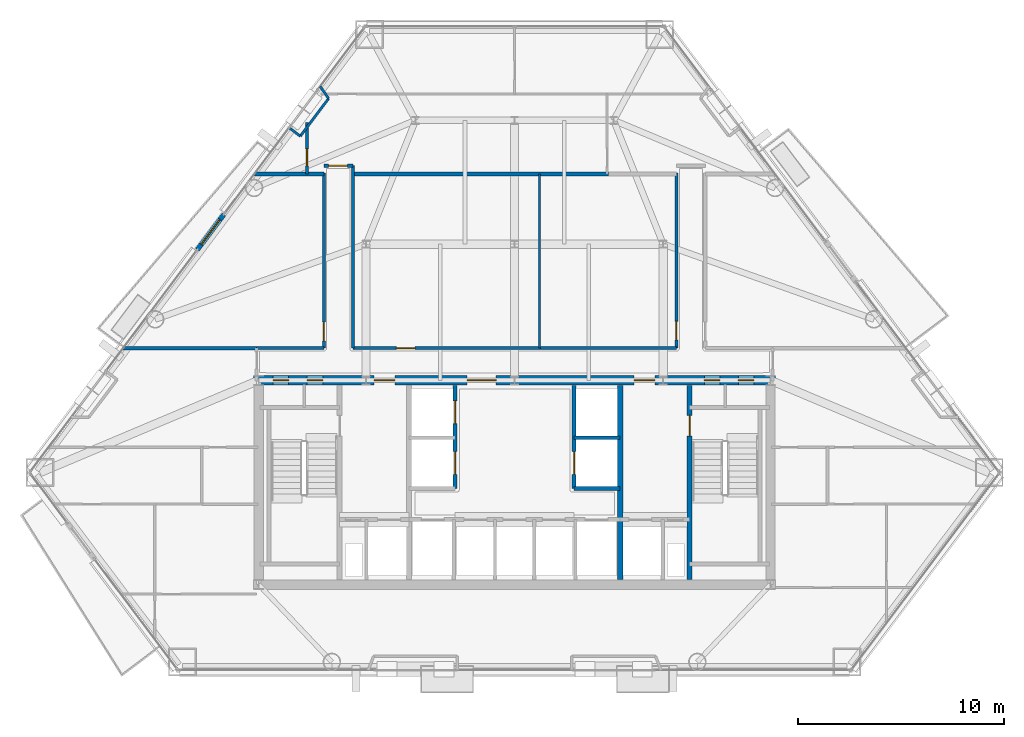
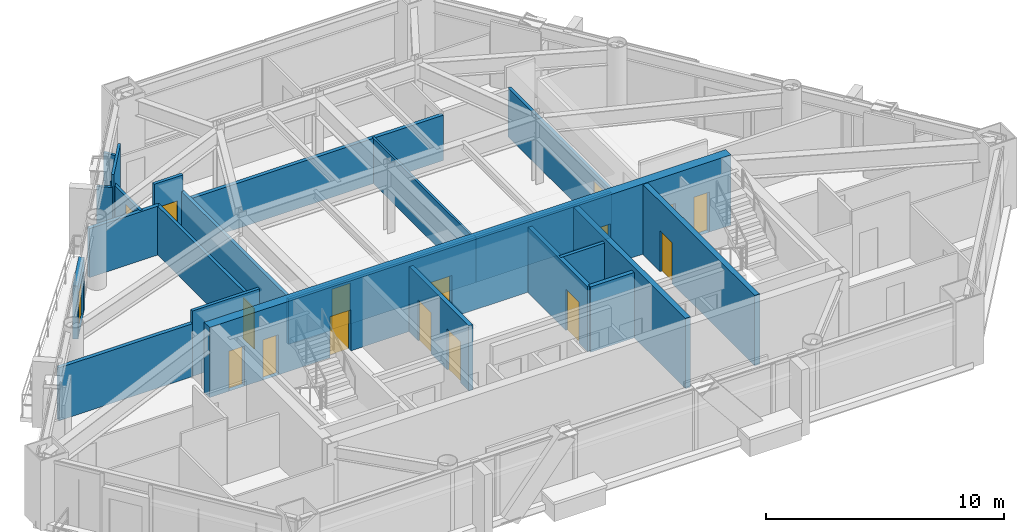
# One storey, part 7 of 11: 23 walls, 17 doors, 17 openings.
"""IFC4 building model written with IfcOpenShell, lengths in metres."""

from ifc_helpers import new_model, si_unit, direction, frame, frame_2d, origin, place, context, subcontext, project, spatial, rectangle, extrude, material, layer, layer_set, type_object, element, fill, save


model = new_model("IFC4")

# Units and contexts
model_context = context("Model", 3, precision=1e-05, world=origin(), true_north=direction((0.0, 1.0)))
body_context = subcontext(model_context, "Body", "Model", "MODEL_VIEW")
ifc_project = project(units=[si_unit("LENGTHUNIT", "METRE"), si_unit("AREAUNIT", "SQUARE_METRE"), si_unit("VOLUMEUNIT", "CUBIC_METRE"), si_unit("PLANEANGLEUNIT", "RADIAN"), si_unit("MASSUNIT", "GRAM", prefix="KILO")], contexts=[model_context])

# Site, building, storey
site_placement = place(None, origin())
site = spatial("IfcSite", under=ifc_project, at=site_placement, CompositionType="ELEMENT")
building_placement = place(site_placement, origin())
building = spatial("IfcBuilding", under=site, at=building_placement, Name="Talgorran Terracotta Tower", CompositionType="ELEMENT")
storey_placement = place(building_placement, frame((0.0, 0.0, 68.39990234375)))
storey = spatial("IfcBuildingStorey", under=building, at=storey_placement, Name="L17", CompositionType="ELEMENT", Elevation=68.39990234375)

# Wall, opening, door
ifc_material_1 = material(Name="Concrete C40/50", Category="concrete")
ifc_layer_1 = layer(ifc_material_1, 0.239990234375, Name="WT_BALCONY_SPAND")
ifc_layer_set_1 = layer_set([ifc_layer_1], Name="Concrete C40/50")
wall_type_1 = type_object("IfcWallType", Name="WT_BALCONY_SPAND", PredefinedType="STANDARD", material=ifc_layer_set_1)
wall_1_placement = place(storey_placement, frame((-14.088134765625, 3.843505859375, -0.014892578125), z_axis=(0.0, 0.0, 1.0), x_axis=(-0.601240548581, -0.799068083921, 0.0)))
wall_1 = element("IfcWall", 1, at=wall_1_placement, inside=storey, type_object=wall_type_1, Name="WL-L17-BALP-BAL-NW", PredefinedType="STANDARD", context=body_context, shape_type="SweptSolid", body=[
    extrude(rectangle(XDim=2.139892578125, YDim=0.239990234375, at=frame_2d((1.06982421875, 0.0))), origin(), (0.0, 0.0, 1.0), 2.728271484375),
])
opening_1_placement = place(wall_1_placement, frame((0.320068359375, 0.0, 0.014892578125)))
opening_1 = element("IfcOpeningElement", 2, at=opening_1_placement, cuts=wall_1, Name="Opening D-BAL-L17-2", PredefinedType="OPENING", context=body_context, shape_type="SweptSolid", body=[
    extrude(rectangle(XDim=1.506, YDim=2.203951171875, at=frame_2d((0.75, 1.10205078125))), frame((0.0, 0.1298828125, 0.0), z_axis=(0.0, -1.0, 0.0), x_axis=(1.0, 0.0, 0.0)), (0.0, 0.0, 1.0), 0.260009765625),
])
ifc_material_2 = material(Name="Thermally Broken Aluminium", Category="aluminium")
door_type_1 = type_object("IfcDoorType", Name="DT_BALC_1500", OperationType="SLIDING_TO_RIGHT", PredefinedType="DOOR", material=ifc_material_2)
door_1_placement = place(opening_1_placement, origin())
door_1 = element("IfcDoor", 3, at=door_1_placement, inside=storey, type_object=door_type_1, Name="DR-L17-BAL-BAL-NW", OperationType="SLIDING_TO_RIGHT", OverallHeight=2.199951171875, OverallWidth=1.5, PredefinedType="DOOR", context=body_context, shape_type="SweptSolid", body=[
    extrude(rectangle(XDim=1.5, YDim=2.199951171875, at=frame_2d((0.75, 1.10009765625))), frame((0.0, 0.02490234375, 0.0), z_axis=(0.0, -1.0, 0.0), x_axis=(1.0, 0.0, 0.0)), (0.0, 0.0, 1.0), 0.050048828125),
])
fill(opening_1, door_1)

# Wall, openings, doors
ifc_material_3 = material(Name="Concrete C50/60", Category="concrete")
ifc_layer_2 = layer(ifc_material_3, 0.199951171875, Name="WT_CORE_200")
ifc_layer_set_2 = layer_set([ifc_layer_2], Name="Concrete C50/60")
wall_type_2 = type_object("IfcWallType", Name="WT_CORE_200", PredefinedType="SOLIDWALL", material=ifc_layer_set_2)
wall_2_placement = place(storey_placement, frame((-2.8798828125, -9.449951171875, 0.0), z_axis=(0.0, 0.0, 1.0), x_axis=(0.0, 1.0, 0.0)))
wall_2 = element("IfcWall", 4, at=wall_2_placement, inside=storey, type_object=wall_type_2, Name="WL-L17-CW-V-W3", PredefinedType="SOLIDWALL", context=body_context, shape_type="SweptSolid", body=[
    extrude(rectangle(XDim=5.0, YDim=0.199951171875, at=frame_2d((2.5, 0.0))), origin(), (0.0, 0.0, 1.0), 3.35009765625),
])
opening_2_placement = place(wall_2_placement, frame((0.699951171875, 0.0, 0.0)))
opening_2 = element("IfcOpeningElement", 5, at=opening_2_placement, cuts=wall_2, Name="Opening LD-PLL1", PredefinedType="OPENING", context=body_context, shape_type="SweptSolid", body=[
    extrude(rectangle(XDim=1.10609765625, YDim=2.10409765625, at=frame_2d((0.550048828125, 1.052001953125))), frame((0.0, 0.10986328125, 0.0), z_axis=(0.0, -1.0, 0.0), x_axis=(1.0, 0.0, 0.0)), (0.0, 0.0, 1.0), 0.219970703125),
])
opening_3_placement = place(wall_2_placement, frame((3.14990234375, 0.0, 0.0)))
opening_3 = element("IfcOpeningElement", 6, at=opening_3_placement, cuts=wall_2, Name="Opening LD-PLL2", PredefinedType="OPENING", context=body_context, shape_type="SweptSolid", body=[
    extrude(rectangle(XDim=1.10609765625, YDim=2.10409765625, at=frame_2d((0.550048828125, 1.052001953125))), frame((0.0, 0.10986328125, 0.0), z_axis=(0.0, -1.0, 0.0), x_axis=(1.0, 0.0, 0.0)), (0.0, 0.0, 1.0), 0.219970703125),
])
ifc_material_4 = material(Name="Brushed Stainless Steel Grade 304", Category="steel")
door_type_2 = type_object("IfcDoorType", Name="DT_LIFT_LD1100", OperationType="DOUBLE_DOOR_SLIDING", PredefinedType="DOOR", material=ifc_material_4)
door_2_placement = place(opening_2_placement, origin())
door_2 = element("IfcDoor", 7, at=door_2_placement, inside=storey, type_object=door_type_2, Name="L17 Lift Landing Door LD-PLL1", OperationType="DOUBLE_DOOR_SLIDING", OverallHeight=2.10009765625, OverallWidth=1.10009765625, PredefinedType="DOOR", context=body_context, shape_type="SweptSolid", body=[
    extrude(rectangle(XDim=1.10009765625, YDim=2.10009765625, at=frame_2d((0.550048828125, 1.050048828125))), frame((0.0, 0.02490234375, 0.0), z_axis=(0.0, -1.0, 0.0), x_axis=(1.0, 0.0, 0.0)), (0.0, 0.0, 1.0), 0.050048828125),
])
fill(opening_2, door_2)
door_3_placement = place(opening_3_placement, origin())
door_3 = element("IfcDoor", 8, at=door_3_placement, inside=storey, type_object=door_type_2, Name="L17 Lift Landing Door LD-PLL2", OperationType="DOUBLE_DOOR_SLIDING", OverallHeight=2.10009765625, OverallWidth=1.10009765625, PredefinedType="DOOR", context=body_context, shape_type="SweptSolid", body=[
    extrude(rectangle(XDim=1.10009765625, YDim=2.10009765625, at=frame_2d((0.550048828125, 1.050048828125))), frame((0.0, 0.02490234375, 0.0), z_axis=(0.0, -1.0, 0.0), x_axis=(1.0, 0.0, 0.0)), (0.0, 0.0, 1.0), 0.050048828125),
])
fill(opening_3, door_3)

# Wall, opening, door
wall_3_placement = place(storey_placement, frame((2.8798828125, -9.449951171875, 0.0), z_axis=(0.0, 0.0, 1.0), x_axis=(0.0, 1.0, 0.0)))
wall_3 = element("IfcWall", 9, at=wall_3_placement, inside=storey, type_object=wall_type_2, Name="WL-L17-CW-V-E3", PredefinedType="SOLIDWALL", context=body_context, shape_type="SweptSolid", body=[
    extrude(rectangle(XDim=5.0, YDim=0.199951171875, at=frame_2d((2.5, 0.0))), origin(), (0.0, 0.0, 1.0), 3.35009765625),
])
opening_4_placement = place(wall_3_placement, frame((0.699951171875, 0.0, 0.0)))
opening_4 = element("IfcOpeningElement", 10, at=opening_4_placement, cuts=wall_3, Name="Opening LD-PLM1", PredefinedType="OPENING", context=body_context, shape_type="SweptSolid", body=[
    extrude(rectangle(XDim=1.10609765625, YDim=2.10409765625, at=frame_2d((0.550048828125, 1.052001953125))), frame((0.0, 0.10986328125, 0.0), z_axis=(0.0, -1.0, 0.0), x_axis=(1.0, 0.0, 0.0)), (0.0, 0.0, 1.0), 0.219970703125),
])
door_4_placement = place(opening_4_placement, origin())
door_4 = element("IfcDoor", 11, at=door_4_placement, inside=storey, type_object=door_type_2, Name="L17 Lift Landing Door LD-PLM1", OperationType="DOUBLE_DOOR_SLIDING", OverallHeight=2.10009765625, OverallWidth=1.10009765625, PredefinedType="DOOR", context=body_context, shape_type="SweptSolid", body=[
    extrude(rectangle(XDim=1.10009765625, YDim=2.10009765625, at=frame_2d((0.550048828125, 1.050048828125))), frame((0.0, 0.02490234375, 0.0), z_axis=(0.0, -1.0, 0.0), x_axis=(1.0, 0.0, 0.0)), (0.0, 0.0, 1.0), 0.050048828125),
])
fill(opening_4, door_4)

# Wall
wall_4_placement = place(storey_placement, frame((2.8798828125, -9.449951171875, 0.0), z_axis=(0.0, 0.0, 1.0), x_axis=(1.0, 0.0, 0.0)))
element("IfcWall", 12, at=wall_4_placement, inside=storey, type_object=wall_type_2, Name="WL-L17-CW-H-E4", PredefinedType="SOLIDWALL", context=body_context, shape_type="SweptSolid", body=[
    extrude(rectangle(XDim=2.240234375, YDim=0.199951171875, at=frame_2d((1.1201171875, 0.0))), origin(), (0.0, 0.0, 1.0), 3.35009765625),
])

# Wall, opening, door
ifc_layer_3 = layer(ifc_material_3, 0.25, Name="WT_CORE_250")
ifc_layer_set_3 = layer_set([ifc_layer_3], Name="Concrete C50/60")
wall_type_3 = type_object("IfcWallType", Name="WT_CORE_250", PredefinedType="SHEAR", material=ifc_layer_set_3)
wall_5_placement = place(storey_placement, frame((8.47998046875, -13.85009765625, 0.0), z_axis=(0.0, 0.0, 1.0), x_axis=(0.0, 1.0, 0.0)))
wall_5 = element("IfcWall", 13, at=wall_5_placement, inside=storey, type_object=wall_type_3, Name="WL-L17-CW-V-E1", PredefinedType="SHEAR", context=body_context, shape_type="SweptSolid", body=[
    extrude(rectangle(XDim=9.400146484375, YDim=0.25, at=frame_2d((4.7001953125, 0.0))), origin(), (0.0, 0.0, 1.0), 3.60009765625),
])
opening_5_placement = place(wall_5_placement, frame((6.949951171875, 0.0, 0.0)))
opening_5 = element("IfcOpeningElement", 14, at=opening_5_placement, cuts=wall_5, Name="Opening DR-ST02", PredefinedType="OPENING", context=body_context, shape_type="SweptSolid", body=[
    extrude(rectangle(XDim=1.006, YDim=2.10409765625, at=frame_2d((0.5, 1.052001953125))), frame((0.0, 0.135009765625, 0.0), z_axis=(0.0, -1.0, 0.0), x_axis=(1.0, 0.0, 0.0)), (0.0, 0.0, 1.0), 0.27001953125),
])
ifc_material_5 = material(Name="Fire-Rated Pressed Steel", Category="steel")
door_type_3 = type_object("IfcDoorType", Name="DT_FIRE_1000", OperationType="NOTDEFINED", PredefinedType="DOOR", material=ifc_material_5)
door_5_placement = place(opening_5_placement, origin())
door_5 = element("IfcDoor", 15, at=door_5_placement, inside=storey, type_object=door_type_3, Name="DR-ST02", OperationType="SINGLE_SWING_RIGHT", OverallHeight=2.10009765625, OverallWidth=1.0, PredefinedType="DOOR", context=body_context, shape_type="SweptSolid", body=[
    extrude(rectangle(XDim=1.0, YDim=2.10009765625, at=frame_2d((0.5, 1.050048828125))), frame((0.0, 0.02490234375, 0.0), z_axis=(0.0, -1.0, 0.0), x_axis=(1.0, 0.0, 0.0)), (0.0, 0.0, 1.0), 0.050048828125),
])
fill(opening_5, door_5)

# Wall
wall_6_placement = place(storey_placement, frame((5.1201171875, -13.85009765625, 0.0), z_axis=(0.0, 0.0, 1.0), x_axis=(0.0, 1.0, 0.0)))
element("IfcWall", 16, at=wall_6_placement, inside=storey, type_object=wall_type_3, Name="WL-L17-CW-V-E2", PredefinedType="SHEAR", context=body_context, shape_type="SweptSolid", body=[
    extrude(rectangle(XDim=9.400146484375, YDim=0.25, at=frame_2d((4.7001953125, 0.0))), origin(), (0.0, 0.0, 1.0), 3.60009765625),
])

# Wall, openings, doors
ifc_material_6 = material(Name="Concrete C65/80", Category="concrete")
ifc_layer_4 = layer(ifc_material_6, 0.449951171875, Name="WT_CORE_EXT")
ifc_layer_set_4 = layer_set([ifc_layer_4], Name="Concrete C65/80")
wall_type_4 = type_object("IfcWallType", Name="WT_CORE_EXT", PredefinedType="SHEAR", material=ifc_layer_set_4)
wall_7_placement = place(storey_placement, frame((-12.64990234375, -4.199951171875, 0.0), z_axis=(0.0, 0.0, 1.0), x_axis=(1.0, 0.0, 0.0)))
wall_7 = element("IfcWall", 17, at=wall_7_placement, inside=storey, type_object=wall_type_4, Name="WL-L17-CW-OUT-N", PredefinedType="SHEAR", context=body_context, shape_type="SweptSolid", body=[
    extrude(rectangle(XDim=25.2998046875, YDim=0.449951171875, at=frame_2d((12.64990234375, 0.0))), origin(), (0.0, 0.0, 1.0), 3.60009765625),
])
opening_6_placement = place(wall_7_placement, frame((0.949951171875, 0.0, 0.0)))
opening_6 = element("IfcOpeningElement", 18, at=opening_6_placement, cuts=wall_7, Name="Opening DR-CSN1", PredefinedType="OPENING", context=body_context, shape_type="SweptSolid", body=[
    extrude(rectangle(XDim=0.756, YDim=2.054048828125, at=frame_2d((0.375, 1.027099609375))), frame((0.0, 0.23486328125, 0.0), z_axis=(0.0, -1.0, 0.0), x_axis=(1.0, 0.0, 0.0)), (0.0, 0.0, 1.0), 0.469970703125),
])
opening_7_placement = place(wall_7_placement, frame((2.60009765625, 0.0, 0.0)))
opening_7 = element("IfcOpeningElement", 19, at=opening_7_placement, cuts=wall_7, Name="Opening DR-CSN2", PredefinedType="OPENING", context=body_context, shape_type="SweptSolid", body=[
    extrude(rectangle(XDim=0.756, YDim=2.054048828125, at=frame_2d((0.375, 1.027099609375))), frame((0.0, 0.23486328125, 0.0), z_axis=(0.0, -1.0, 0.0), x_axis=(1.0, 0.0, 0.0)), (0.0, 0.0, 1.0), 0.469970703125),
])
opening_8_placement = place(wall_7_placement, frame((21.85009765625, 0.0, 0.0)))
opening_8 = element("IfcOpeningElement", 20, at=opening_8_placement, cuts=wall_7, Name="Opening DR-CSN3", PredefinedType="OPENING", context=body_context, shape_type="SweptSolid", body=[
    extrude(rectangle(XDim=0.756, YDim=2.054048828125, at=frame_2d((0.375, 1.027099609375))), frame((0.0, 0.23486328125, 0.0), z_axis=(0.0, -1.0, 0.0), x_axis=(1.0, 0.0, 0.0)), (0.0, 0.0, 1.0), 0.469970703125),
])
opening_9_placement = place(wall_7_placement, frame((23.5, 0.0, 0.0)))
opening_9 = element("IfcOpeningElement", 21, at=opening_9_placement, cuts=wall_7, Name="Opening DR-CSN4", PredefinedType="OPENING", context=body_context, shape_type="SweptSolid", body=[
    extrude(rectangle(XDim=0.756, YDim=2.054048828125, at=frame_2d((0.375, 1.027099609375))), frame((0.0, 0.23486328125, 0.0), z_axis=(0.0, -1.0, 0.0), x_axis=(1.0, 0.0, 0.0)), (0.0, 0.0, 1.0), 0.469970703125),
])
opening_10_placement = place(wall_7_placement, frame((5.85009765625, 0.0, 0.0)))
opening_10 = element("IfcOpeningElement", 22, at=opening_10_placement, cuts=wall_7, Name="Opening DR-FFLW-N", PredefinedType="OPENING", context=body_context, shape_type="SweptSolid", body=[
    extrude(rectangle(XDim=1.006, YDim=2.10409765625, at=frame_2d((0.5, 1.052001953125))), frame((0.0, 0.23486328125, 0.0), z_axis=(0.0, -1.0, 0.0), x_axis=(1.0, 0.0, 0.0)), (0.0, 0.0, 1.0), 0.469970703125),
])
opening_11_placement = place(wall_7_placement, frame((10.35009765625, 0.0, 0.0)))
opening_11 = element("IfcOpeningElement", 23, at=opening_11_placement, cuts=wall_7, Name="Opening DR-PLL-N", PredefinedType="OPENING", context=body_context, shape_type="SweptSolid", body=[
    extrude(rectangle(XDim=1.40590234375, YDim=2.15390234375, at=frame_2d((0.699951171875, 1.076904296875))), frame((0.0, 0.23486328125, 0.0), z_axis=(0.0, -1.0, 0.0), x_axis=(1.0, 0.0, 0.0)), (0.0, 0.0, 1.0), 0.469970703125),
])
opening_12_placement = place(wall_7_placement, frame((18.449951171875, 0.0, 0.0)))
opening_12 = element("IfcOpeningElement", 24, at=opening_12_placement, cuts=wall_7, Name="Opening DR-FFLE-N", PredefinedType="OPENING", context=body_context, shape_type="SweptSolid", body=[
    extrude(rectangle(XDim=1.006, YDim=2.10409765625, at=frame_2d((0.5, 1.052001953125))), frame((0.0, 0.23486328125, 0.0), z_axis=(0.0, -1.0, 0.0), x_axis=(1.0, 0.0, 0.0)), (0.0, 0.0, 1.0), 0.469970703125),
])
ifc_material_7 = material(Name="Acoustic Glazed Timber", Category="wood")
door_type_4 = type_object("IfcDoorType", Name="DT_DOUBLE_1400", OperationType="DOUBLE_DOOR_SINGLE_SWING", PredefinedType="DOOR", material=ifc_material_7)
door_6_placement = place(opening_11_placement, origin())
door_6 = element("IfcDoor", 25, at=door_6_placement, inside=storey, type_object=door_type_4, Name="DR-PLL-N", OperationType="DOUBLE_DOOR_SINGLE_SWING", OverallHeight=2.14990234375, OverallWidth=1.39990234375, PredefinedType="DOOR", context=body_context, shape_type="SweptSolid", body=[
    extrude(rectangle(XDim=1.39990234375, YDim=2.14990234375, at=frame_2d((0.699951171875, 1.074951171875))), frame((0.0, 0.02490234375, 0.0), z_axis=(0.0, -1.0, 0.0), x_axis=(1.0, 0.0, 0.0)), (0.0, 0.0, 1.0), 0.050048828125),
])
fill(opening_11, door_6)
door_7_placement = place(opening_10_placement, origin())
door_7 = element("IfcDoor", 26, at=door_7_placement, inside=storey, type_object=door_type_3, Name="DR-FFLW-N", OperationType="SINGLE_SWING_LEFT", OverallHeight=2.10009765625, OverallWidth=1.0, PredefinedType="DOOR", context=body_context, shape_type="SweptSolid", body=[
    extrude(rectangle(XDim=1.0, YDim=2.10009765625, at=frame_2d((0.5, 1.050048828125))), frame((0.0, 0.02490234375, 0.0), z_axis=(0.0, -1.0, 0.0), x_axis=(1.0, 0.0, 0.0)), (0.0, 0.0, 1.0), 0.050048828125),
])
fill(opening_10, door_7)
door_8_placement = place(opening_12_placement, origin())
door_8 = element("IfcDoor", 27, at=door_8_placement, inside=storey, type_object=door_type_3, Name="DR-FFLE-N", OperationType="SINGLE_SWING_RIGHT", OverallHeight=2.10009765625, OverallWidth=1.0, PredefinedType="DOOR", context=body_context, shape_type="SweptSolid", body=[
    extrude(rectangle(XDim=1.0, YDim=2.10009765625, at=frame_2d((0.5, 1.050048828125))), frame((0.0, 0.02490234375, 0.0), z_axis=(0.0, -1.0, 0.0), x_axis=(1.0, 0.0, 0.0)), (0.0, 0.0, 1.0), 0.050048828125),
])
fill(opening_12, door_8)
door_type_5 = type_object("IfcDoorType", Name="DT_RISER_750", OperationType="NOTDEFINED", PredefinedType="DOOR", material=ifc_material_5)
door_9_placement = place(opening_6_placement, origin())
door_9 = element("IfcDoor", 28, at=door_9_placement, inside=storey, type_object=door_type_5, Name="DR-CSN1", OperationType="SINGLE_SWING_LEFT", OverallHeight=2.050048828125, OverallWidth=0.75, PredefinedType="DOOR", context=body_context, shape_type="SweptSolid", body=[
    extrude(rectangle(XDim=0.75, YDim=2.050048828125, at=frame_2d((0.375, 1.02490234375))), frame((0.0, 0.02490234375, 0.0), z_axis=(0.0, -1.0, 0.0), x_axis=(1.0, 0.0, 0.0)), (0.0, 0.0, 1.0), 0.050048828125),
])
fill(opening_6, door_9)
door_10_placement = place(opening_7_placement, origin())
door_10 = element("IfcDoor", 29, at=door_10_placement, inside=storey, type_object=door_type_5, Name="DR-CSN2", OperationType="SINGLE_SWING_RIGHT", OverallHeight=2.050048828125, OverallWidth=0.75, PredefinedType="DOOR", context=body_context, shape_type="SweptSolid", body=[
    extrude(rectangle(XDim=0.75, YDim=2.050048828125, at=frame_2d((0.375, 1.02490234375))), frame((0.0, 0.02490234375, 0.0), z_axis=(0.0, -1.0, 0.0), x_axis=(1.0, 0.0, 0.0)), (0.0, 0.0, 1.0), 0.050048828125),
])
fill(opening_7, door_10)
door_11_placement = place(opening_8_placement, origin())
door_11 = element("IfcDoor", 30, at=door_11_placement, inside=storey, type_object=door_type_5, Name="DR-CSN3", OperationType="SINGLE_SWING_LEFT", OverallHeight=2.050048828125, OverallWidth=0.75, PredefinedType="DOOR", context=body_context, shape_type="SweptSolid", body=[
    extrude(rectangle(XDim=0.75, YDim=2.050048828125, at=frame_2d((0.375, 1.02490234375))), frame((0.0, 0.02490234375, 0.0), z_axis=(0.0, -1.0, 0.0), x_axis=(1.0, 0.0, 0.0)), (0.0, 0.0, 1.0), 0.050048828125),
])
fill(opening_8, door_11)
door_12_placement = place(opening_9_placement, origin())
door_12 = element("IfcDoor", 31, at=door_12_placement, inside=storey, type_object=door_type_5, Name="DR-CSN4", OperationType="SINGLE_SWING_RIGHT", OverallHeight=2.050048828125, OverallWidth=0.75, PredefinedType="DOOR", context=body_context, shape_type="SweptSolid", body=[
    extrude(rectangle(XDim=0.75, YDim=2.050048828125, at=frame_2d((0.375, 1.02490234375))), frame((0.0, 0.02490234375, 0.0), z_axis=(0.0, -1.0, 0.0), x_axis=(1.0, 0.0, 0.0)), (0.0, 0.0, 1.0), 0.050048828125),
])
fill(opening_9, door_12)

# Wall, opening, door
ifc_material_8 = material(Name="Fire-Rated Steel Stud Plasterboard", Category="steel")
ifc_layer_5 = layer(ifc_material_8, 0.14990234375, Name="WT_FIRE_150")
ifc_layer_set_5 = layer_set([ifc_layer_5], Name="Fire-Rated Steel Stud Plasterboard")
wall_type_5 = type_object("IfcWallType", Name="WT_FIRE_150", PredefinedType="PARTITIONING", material=ifc_layer_set_5)
wall_8_placement = place(storey_placement, frame((-7.840087890625, -2.639892578125, 0.0), z_axis=(0.0, 0.0, 1.0), x_axis=(1.0, 0.0, 0.0)))
wall_8 = element("IfcWall", 32, at=wall_8_placement, inside=storey, type_object=wall_type_5, Name="WL-L17-W-L17-R06", PredefinedType="PARTITIONING", context=body_context, shape_type="SweptSolid", body=[
    extrude(rectangle(XDim=9.10009765625, YDim=0.14990234375, at=frame_2d((4.550048828125, 0.0))), origin(), (0.0, 0.0, 1.0), 2.3251953125),
])
opening_13_placement = place(wall_8_placement, frame((2.110107421875, 0.0, 0.0)))
opening_13 = element("IfcOpeningElement", 33, at=opening_13_placement, cuts=wall_8, Name="Opening DR-L17-R13", PredefinedType="OPENING", context=body_context, shape_type="SweptSolid", body=[
    extrude(rectangle(XDim=0.90590234375, YDim=2.10409765625, at=frame_2d((0.449951171875, 1.052001953125))), frame((0.0, 0.0849609375, 0.0), z_axis=(0.0, -1.0, 0.0), x_axis=(1.0, 0.0, 0.0)), (0.0, 0.0, 1.0), 0.169921875),
])
ifc_material_9 = material(Name="Fire-Rated Timber Core", Category="wood")
door_type_6 = type_object("IfcDoorType", Name="DT_FIRE_900", OperationType="NOTDEFINED", PredefinedType="DOOR", material=ifc_material_9)
door_13_placement = place(opening_13_placement, origin())
door_13 = element("IfcDoor", 34, at=door_13_placement, inside=storey, type_object=door_type_6, Name="DR-L17-R13", OperationType="SINGLE_SWING_LEFT", OverallHeight=2.10009765625, OverallWidth=0.89990234375, PredefinedType="DOOR", context=body_context, shape_type="SweptSolid", body=[
    extrude(rectangle(XDim=0.89990234375, YDim=2.10009765625, at=frame_2d((0.449951171875, 1.050048828125))), frame((0.0, 0.02490234375, 0.0), z_axis=(0.0, -1.0, 0.0), x_axis=(1.0, 0.0, 0.0)), (0.0, 0.0, 1.0), 0.050048828125),
])
fill(opening_13, door_13)

wall_9_placement = place(storey_placement, frame((-9.239990234375, -2.639892578125, 0.0), z_axis=(0.0, 0.0, 1.0), x_axis=(0.0, 1.0, 0.0)))
wall_9 = element("IfcWall", 35, at=wall_9_placement, inside=storey, type_object=wall_type_5, Name="WL-L17-W-L17-R04", PredefinedType="PARTITIONING", context=body_context, shape_type="SweptSolid", body=[
    extrude(rectangle(XDim=8.5, YDim=0.14990234375, at=frame_2d((4.25, 0.0))), origin(), (0.0, 0.0, 1.0), 2.509033203125),
])
opening_14_placement = place(wall_9_placement, frame((0.360107421875, 0.0, 0.0)))
opening_14 = element("IfcOpeningElement", 36, at=opening_14_placement, cuts=wall_9, Name="Opening DR-L17-R12", PredefinedType="OPENING", context=body_context, shape_type="SweptSolid", body=[
    extrude(rectangle(XDim=0.90590234375, YDim=2.10409765625, at=frame_2d((0.449951171875, 1.052001953125))), frame((0.0, 0.0849609375, 0.0), z_axis=(0.0, -1.0, 0.0), x_axis=(1.0, 0.0, 0.0)), (0.0, 0.0, 1.0), 0.169921875),
])
door_14_placement = place(opening_14_placement, origin())
door_14 = element("IfcDoor", 37, at=door_14_placement, inside=storey, type_object=door_type_6, Name="DR-L17-R12", OperationType="SINGLE_SWING_RIGHT", OverallHeight=2.10009765625, OverallWidth=0.89990234375, PredefinedType="DOOR", context=body_context, shape_type="SweptSolid", body=[
    extrude(rectangle(XDim=0.89990234375, YDim=2.10009765625, at=frame_2d((0.449951171875, 1.050048828125))), frame((0.0, 0.02490234375, 0.0), z_axis=(0.0, -1.0, 0.0), x_axis=(1.0, 0.0, 0.0)), (0.0, 0.0, 1.0), 0.050048828125),
])
fill(opening_14, door_14)

# Wall
wall_10_placement = place(storey_placement, frame((-7.840087890625, -2.639892578125, 0.0), z_axis=(0.0, 0.0, 1.0), x_axis=(0.0, 1.0, 0.0)))
element("IfcWall", 38, at=wall_10_placement, inside=storey, type_object=wall_type_5, Name="WL-L17-W-L17-R05", PredefinedType="PARTITIONING", context=body_context, shape_type="SweptSolid", body=[
    extrude(rectangle(XDim=8.83984375, YDim=0.14990234375, at=frame_2d((4.419921875, 0.0))), origin(), (0.0, 0.0, 1.0), 2.509033203125),
])

# Wall, opening, door
wall_11_placement = place(storey_placement, frame((7.840087890625, -2.639892578125, 0.0), z_axis=(0.0, 0.0, 1.0), x_axis=(0.0, 1.0, 0.0)))
wall_11 = element("IfcWall", 39, at=wall_11_placement, inside=storey, type_object=wall_type_5, Name="WL-L17-W-L17-R08", PredefinedType="PARTITIONING", context=body_context, shape_type="SweptSolid", body=[
    extrude(rectangle(XDim=8.5, YDim=0.14990234375, at=frame_2d((4.25, 0.0))), origin(), (0.0, 0.0, 1.0), 2.509033203125),
])
opening_15_placement = place(wall_11_placement, frame((0.39990234375, 0.0, 0.0)))
opening_15 = element("IfcOpeningElement", 40, at=opening_15_placement, cuts=wall_11, Name="Opening DR-L17-R14", PredefinedType="OPENING", context=body_context, shape_type="SweptSolid", body=[
    extrude(rectangle(XDim=0.90590234375, YDim=2.10409765625, at=frame_2d((0.449951171875, 1.052001953125))), frame((0.0, 0.0849609375, 0.0), z_axis=(0.0, -1.0, 0.0), x_axis=(1.0, 0.0, 0.0)), (0.0, 0.0, 1.0), 0.169921875),
])
door_15_placement = place(opening_15_placement, origin())
door_15 = element("IfcDoor", 41, at=door_15_placement, inside=storey, type_object=door_type_6, Name="DR-L17-R14", OperationType="SINGLE_SWING_RIGHT", OverallHeight=2.10009765625, OverallWidth=0.89990234375, PredefinedType="DOOR", context=body_context, shape_type="SweptSolid", body=[
    extrude(rectangle(XDim=0.89990234375, YDim=2.10009765625, at=frame_2d((0.449951171875, 1.050048828125))), frame((0.0, 0.02490234375, 0.0), z_axis=(0.0, -1.0, 0.0), x_axis=(1.0, 0.0, 0.0)), (0.0, 0.0, 1.0), 0.050048828125),
])
fill(opening_15, door_15)

# Walls
wall_12_placement = place(storey_placement, frame((1.261962890625, -2.639892578125, 0.0), z_axis=(0.0, 0.0, 1.0), x_axis=(1.0, 0.0, 0.0)))
element("IfcWall", 42, at=wall_12_placement, inside=storey, type_object=wall_type_5, Name="WL-L17-W-L17-R07", PredefinedType="PARTITIONING", context=body_context, shape_type="SweptSolid", body=[
    extrude(rectangle(XDim=6.578125, YDim=0.14990234375, at=frame_2d((3.2890625, 0.0))), origin(), (0.0, 0.0, 1.0), 2.3251953125),
])
wall_13_placement = place(storey_placement, frame((-12.5, -2.639892578125, 0.0), z_axis=(0.0, 0.0, 1.0), x_axis=(1.0, 0.0, 0.0)))
element("IfcWall", 43, at=wall_13_placement, inside=storey, type_object=wall_type_5, Name="WL-L17-W-L17-R03", PredefinedType="PARTITIONING", context=body_context, shape_type="SweptSolid", body=[
    extrude(rectangle(XDim=3.260009765625, YDim=0.14990234375, at=frame_2d((1.6298828125, 0.0))), origin(), (0.0, 0.0, 1.0), 3.35009765625),
])

# Wall, opening, door
wall_14_placement = place(storey_placement, frame((-9.239990234375, 6.199951171875, 0.0), z_axis=(0.0, 0.0, 1.0), x_axis=(1.0, 0.0, 0.0)))
wall_14 = element("IfcWall", 44, at=wall_14_placement, inside=storey, type_object=wall_type_5, Name="WL-L17-W-L17-R12", PredefinedType="PARTITIONING", context=body_context, shape_type="SweptSolid", body=[
    extrude(rectangle(XDim=1.39990234375, YDim=0.14990234375, at=frame_2d((0.699951171875, 0.0))), origin(), (0.0, 0.0, 1.0), 3.35009765625),
])
opening_16_placement = place(wall_14_placement, frame((0.2314453125, 0.0, 0.0)))
opening_16 = element("IfcOpeningElement", 45, at=opening_16_placement, cuts=wall_14, Name="Opening DR-L17-R17", PredefinedType="OPENING", context=body_context, shape_type="SweptSolid", body=[
    extrude(rectangle(XDim=0.90590234375, YDim=2.10409765625, at=frame_2d((0.449951171875, 1.052001953125))), frame((0.0, 0.0849609375, 0.0), z_axis=(0.0, -1.0, 0.0), x_axis=(1.0, 0.0, 0.0)), (0.0, 0.0, 1.0), 0.169921875),
])
door_16_placement = place(opening_16_placement, origin())
door_16 = element("IfcDoor", 46, at=door_16_placement, inside=storey, type_object=door_type_6, Name="DR-L17-R17", OperationType="SINGLE_SWING_LEFT", OverallHeight=2.10009765625, OverallWidth=0.89990234375, PredefinedType="DOOR", context=body_context, shape_type="SweptSolid", body=[
    extrude(rectangle(XDim=0.89990234375, YDim=2.10009765625, at=frame_2d((0.449951171875, 1.050048828125))), frame((0.0, 0.02490234375, 0.0), z_axis=(0.0, -1.0, 0.0), x_axis=(1.0, 0.0, 0.0)), (0.0, 0.0, 1.0), 0.050048828125),
])
fill(opening_16, door_16)

# Walls
ifc_material_10 = material(Name="Acoustic Stud and Plasterboard")
ifc_layer_6 = layer(ifc_material_10, 0.179931640625, Name="WT_PARTY_200")
ifc_layer_set_6 = layer_set([ifc_layer_6], Name="Acoustic Stud and Plasterboard")
wall_type_6 = type_object("IfcWallType", Name="WT_PARTY_200", PredefinedType="PARTITIONING", material=ifc_layer_set_6)
wall_15_placement = place(storey_placement, frame((-7.840087890625, 5.800048828125, 0.0), z_axis=(0.0, 0.0, 1.0), x_axis=(1.0, 0.0, 0.0)))
element("IfcWall", 47, at=wall_15_placement, inside=storey, type_object=wall_type_6, Name="WL-L17-W-L17-R39", PredefinedType="PARTITIONING", context=body_context, shape_type="SweptSolid", body=[
    extrude(rectangle(XDim=12.380126953125, YDim=0.179931640625, at=frame_2d((6.18994140625, 0.0))), origin(), (0.0, 0.0, 1.0), 2.3251953125),
])
wall_16_placement = place(storey_placement, frame((-18.966552734375, -2.639892578125, 0.0), z_axis=(0.0, 0.0, 1.0), x_axis=(1.0, 0.0, 0.0)))
element("IfcWall", 48, at=wall_16_placement, inside=storey, type_object=wall_type_6, Name="WL-L17-W-L17-R19", PredefinedType="PARTITIONING", context=body_context, shape_type="SweptSolid", body=[
    extrude(rectangle(XDim=6.466552734375, YDim=0.179931640625, at=frame_2d((3.2333984375, 0.0))), origin(), (0.0, 0.0, 1.0), 2.71337890625),
])
wall_17_placement = place(storey_placement, frame((-12.6162109375, 5.800048828125, 0.0), z_axis=(0.0, 0.0, 1.0), x_axis=(1.0, 0.0, 0.0)))
element("IfcWall", 49, at=wall_17_placement, inside=storey, type_object=wall_type_6, Name="WL-L17-W-L17-R36", PredefinedType="PARTITIONING", context=body_context, shape_type="SweptSolid", body=[
    extrude(rectangle(XDim=3.376220703125, YDim=0.179931640625, at=frame_2d((1.68798828125, 0.0))), origin(), (0.0, 0.0, 1.0), 2.509033203125),
])
ifc_material_11 = material(Name="Lightweight Steel Stud Partition", Category="steel")
ifc_layer_7 = layer(ifc_material_11, 0.10498046875, Name="WT_PART_110")
ifc_layer_set_7 = layer_set([ifc_layer_7], Name="Lightweight Steel Stud Partition")
wall_type_7 = type_object("IfcWallType", Name="WT_PART_110", PredefinedType="PARTITIONING", material=ifc_layer_set_7)
wall_18_placement = place(storey_placement, frame((1.199951171875, -2.639892578125, 0.0), z_axis=(0.0, 0.0, 1.0), x_axis=(0.0, 1.0, 0.0)))
element("IfcWall", 50, at=wall_18_placement, inside=storey, type_object=wall_type_7, Name="WL-L17-W-L17-R38", PredefinedType="PARTITIONING", context=body_context, shape_type="SweptSolid", body=[
    extrude(rectangle(XDim=8.43994140625, YDim=0.10498046875, at=frame_2d((4.219970703125, 0.0))), origin(), (0.0, 0.0, 1.0), 2.3251953125),
])
ifc_material_12 = material(Name="Insulated Steel Stud Plasterboard", Category="steel")
ifc_layer_8 = layer(ifc_material_12, 0.1201171875, Name="WT_PART_120")
ifc_layer_set_8 = layer_set([ifc_layer_8], Name="Insulated Steel Stud Plasterboard")
wall_type_8 = type_object("IfcWallType", Name="WT_PART_120", PredefinedType="PARTITIONING", material=ifc_layer_set_8)
wall_19_placement = place(storey_placement, frame((-9.01416015625, 9.456298828125, 0.0), z_axis=(0.0, 0.0, 1.0), x_axis=(-0.601181786604, -0.799112294647, 0.0)))
element("IfcWall", 51, at=wall_19_placement, inside=storey, type_object=wall_type_8, Name="WL-L17-BW-L17-14", PredefinedType="PARTITIONING", context=body_context, shape_type="SweptSolid", body=[
    extrude(rectangle(XDim=2.279541015625, YDim=0.1201171875, at=frame_2d((1.1396484375, 0.0))), origin(), (0.0, 0.0, 1.0), 3.35009765625),
])
wall_20_placement = place(storey_placement, frame((-9.41455078125, 10.0380859375, 0.0), z_axis=(0.0, 0.0, 1.0), x_axis=(0.566924874962, -0.823769498191, 0.0)))
element("IfcWall", 52, at=wall_20_placement, inside=storey, type_object=wall_type_8, Name="WL-L17-BW-L17-13", PredefinedType="PARTITIONING", context=body_context, shape_type="SweptSolid", body=[
    extrude(rectangle(XDim=0.706298828125, YDim=0.1201171875, at=frame_2d((0.35302734375, 0.0))), origin(), (0.0, 0.0, 1.0), 2.71337890625),
])
wall_21_placement = place(storey_placement, frame((-10.384521484375, 7.634765625, 0.0), z_axis=(0.0, 0.0, 1.0), x_axis=(-0.799080830747, 0.601223607265, 0.0)))
element("IfcWall", 53, at=wall_21_placement, inside=storey, type_object=wall_type_8, Name="WL-L17-BW-L17-15", PredefinedType="PARTITIONING", context=body_context, shape_type="SweptSolid", body=[
    extrude(rectangle(XDim=0.669921875, YDim=0.1201171875, at=frame_2d((0.3349609375, 0.0))), origin(), (0.0, 0.0, 1.0), 2.71337890625),
])

# Wall, opening, door
ifc_material_13 = material(Name="Moisture-Resistant Stud Wall")
ifc_layer_9 = layer(ifc_material_13, 0.135009765625, Name="WT_PART_135")
ifc_layer_set_9 = layer_set([ifc_layer_9], Name="Moisture-Resistant Stud Wall")
wall_type_9 = type_object("IfcWallType", Name="WT_PART_135", PredefinedType="PARTITIONING", material=ifc_layer_set_9)
wall_22_placement = place(storey_placement, frame((-10.06005859375, 5.800048828125, 0.0), z_axis=(0.0, 0.0, 1.0), x_axis=(0.0, 1.0, 0.0)))
wall_22 = element("IfcWall", 54, at=wall_22_placement, inside=storey, type_object=wall_type_9, Name="WL-L17-W-L17-R43", PredefinedType="PARTITIONING", context=body_context, shape_type="SweptSolid", body=[
    extrude(rectangle(XDim=2.5, YDim=0.135009765625, at=frame_2d((1.25, 0.0))), origin(), (0.0, 0.0, 1.0), 2.509033203125),
])
opening_17_placement = place(wall_22_placement, frame((0.3955078125, 0.0, 0.0)))
opening_17 = element("IfcOpeningElement", 55, at=opening_17_placement, cuts=wall_22, Name="Opening DR-L17-R16", PredefinedType="OPENING", context=body_context, shape_type="SweptSolid", body=[
    extrude(rectangle(XDim=0.826068359375, YDim=2.10409765625, at=frame_2d((0.41015625, 1.052001953125))), frame((0.0, 0.07763671875, 0.0), z_axis=(0.0, -1.0, 0.0), x_axis=(1.0, 0.0, 0.0)), (0.0, 0.0, 1.0), 0.155029296875),
])
ifc_material_14 = material(Name="Moisture-Resistant Solid Timber", Category="wood")
door_type_7 = type_object("IfcDoorType", Name="DT_INT_820", OperationType="NOTDEFINED", PredefinedType="DOOR", material=ifc_material_14)
door_17_placement = place(opening_17_placement, origin())
door_17 = element("IfcDoor", 56, at=door_17_placement, inside=storey, type_object=door_type_7, Name="DR-L17-R16", OperationType="SINGLE_SWING_RIGHT", OverallHeight=2.10009765625, OverallWidth=0.820068359375, PredefinedType="DOOR", context=body_context, shape_type="SweptSolid", body=[
    extrude(rectangle(XDim=0.820068359375, YDim=2.10009765625, at=frame_2d((0.41015625, 1.050048828125))), frame((0.0, 0.02490234375, 0.0), z_axis=(0.0, -1.0, 0.0), x_axis=(1.0, 0.0, 0.0)), (0.0, 0.0, 1.0), 0.050048828125),
])
fill(opening_17, door_17)

# Wall
ifc_material_15 = material(Name="Fire-Rated Shaftwall")
ifc_layer_10 = layer(ifc_material_15, 0.159912109375, Name="WT_PART_150")
ifc_layer_set_10 = layer_set([ifc_layer_10], Name="Fire-Rated Shaftwall")
wall_type_10 = type_object("IfcWallType", Name="WT_PART_150", PredefinedType="PARTITIONING", material=ifc_layer_set_10)
wall_23_placement = place(storey_placement, frame((2.8798828125, -6.97998046875, 0.0), z_axis=(0.0, 0.0, 1.0), x_axis=(1.0, 0.0, 0.0)))
element("IfcWall", 57, at=wall_23_placement, inside=storey, type_object=wall_type_10, Name="WL-L17-CW-PLM-DIV", PredefinedType="PARTITIONING", context=body_context, shape_type="SweptSolid", body=[
    extrude(rectangle(XDim=2.240234375, YDim=0.159912109375, at=frame_2d((1.1201171875, 0.0))), origin(), (0.0, 0.0, 1.0), 3.35009765625),
])

save(model, "model.ifc")
